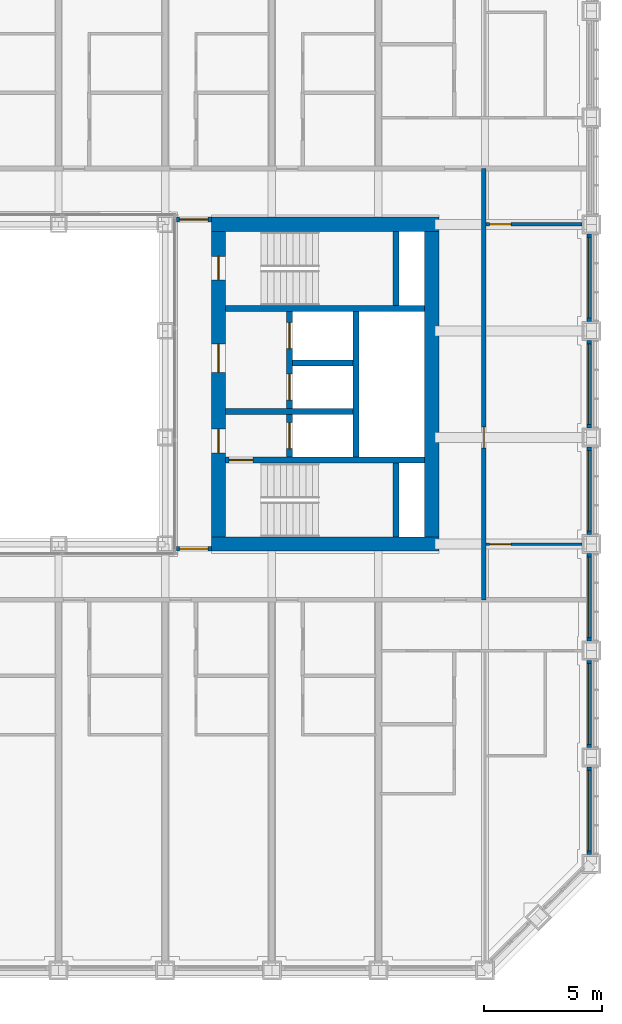
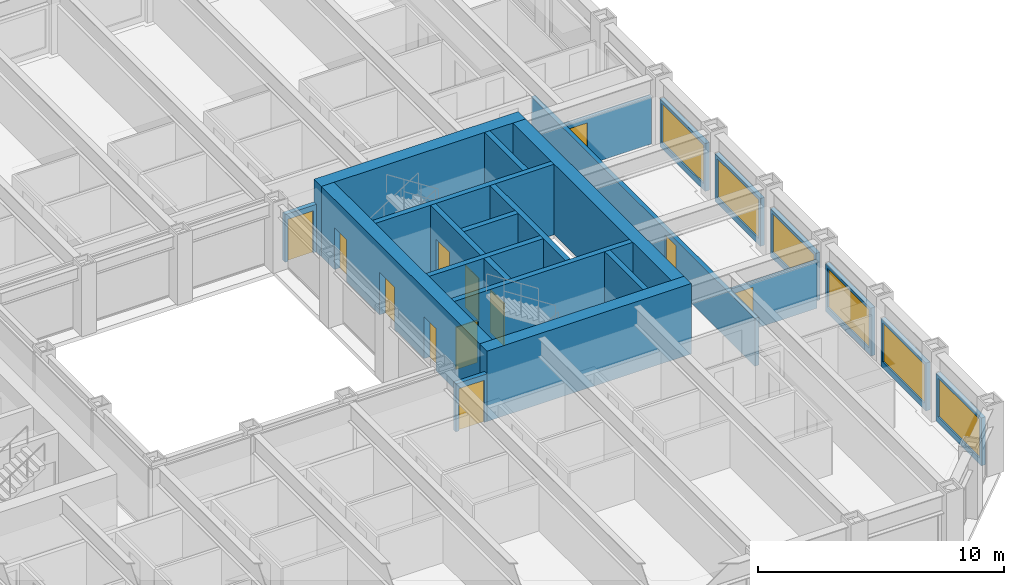
# One storey, part 12 of 21: 23 walls, 12 doors, 6 windows, 18 openings.
"""IFC4 building model written with IfcOpenShell, lengths in metres."""

from ifc_helpers import new_model, si_unit, direction, frame, frame_2d, origin, place, context, subcontext, project, spatial, rectangle, extrude, material, layer, layer_set, type_object, element, fill, save


model = new_model("IFC4")

# Units and contexts
model_context = context("Model", 3, precision=1e-05, world=origin(), true_north=direction((0.0, 1.0)))
body_context = subcontext(model_context, "Body", "Model", "MODEL_VIEW")
ifc_project = project(units=[si_unit("LENGTHUNIT", "METRE"), si_unit("AREAUNIT", "SQUARE_METRE"), si_unit("VOLUMEUNIT", "CUBIC_METRE"), si_unit("PLANEANGLEUNIT", "RADIAN"), si_unit("MASSUNIT", "GRAM", prefix="KILO")], contexts=[model_context])

# Site, building, storey
site_placement = place(None, origin())
site = spatial("IfcSite", under=ifc_project, at=site_placement, CompositionType="ELEMENT")
building_placement = place(site_placement, origin())
building = spatial("IfcBuilding", under=site, at=building_placement, Name="Msasa Ring Tower", CompositionType="ELEMENT")
storey_placement = place(building_placement, frame((0.0, 0.0, 30.0)))
storey = spatial("IfcBuildingStorey", under=building, at=storey_placement, Name="L06", CompositionType="ELEMENT", Elevation=30.0)

# Walls
ifc_material_1 = material(Name="Concrete C60/75", Category="concrete")
ifc_layer_1 = layer(ifc_material_1, 0.60009765625)
ifc_layer_set_1 = layer_set([ifc_layer_1], Name="CW1 CORE WALL 600")
wall_type_1 = type_object("IfcWallType", Name="CW1 CORE WALL 600", PredefinedType="SHEAR", material=ifc_layer_set_1)
for number, where, z_axis, x_axis, name in (
    (1, (8.699951171875, -6.75, 0.0), (0.0, 0.0, 1.0), (1.0, 0.0, 0.0), "E core wall S L06"),
    (2, (8.699951171875, 6.75, 0.0), (0.0, 0.0, 1.0), (1.0, 0.0, 0.0), "E core wall N L06"),
):
    element("IfcWall", number, at=place(storey_placement, frame(where, z_axis=z_axis, x_axis=x_axis)), inside=storey, type_object=wall_type_1, Name=name, PredefinedType="SHEAR", context=body_context, shape_type="SweptSolid", body=[
        extrude(rectangle(XDim=9.60009765625, YDim=0.60009765625, at=frame_2d((4.800048828125, 0.0))), origin(), (0.0, 0.0, 1.0), 3.5),
    ])

# Wall, openings, doors
wall_1_placement = place(storey_placement, frame((9.0, -6.449951171875, 0.0), z_axis=(0.0, 0.0, 1.0), x_axis=(0.0, 1.0, 0.0)))
wall_1 = element("IfcWall", 3, at=wall_1_placement, inside=storey, type_object=wall_type_1, Name="E core wall W L06", PredefinedType="SHEAR", context=body_context, shape_type="SweptSolid", body=[
    extrude(rectangle(XDim=12.89990234375, YDim=0.60009765625, at=frame_2d((6.449951171875, 0.0))), origin(), (0.0, 0.0, 1.0), 3.5),
])
opening_1_placement = place(wall_1_placement, frame((3.550048828125, 0.0, 0.0)))
opening_1 = element("IfcOpeningElement", 4, at=opening_1_placement, cuts=wall_1, Name="Opening RA-046", PredefinedType="OPENING", context=body_context, shape_type="SweptSolid", body=[
    extrude(rectangle(XDim=1.0, YDim=2.10009765625, at=frame_2d((0.5, 1.050048828125))), frame((0.0, 0.31005859375, 0.0), z_axis=(0.0, -1.0, 0.0), x_axis=(1.0, 0.0, 0.0)), (0.0, 0.0, 1.0), 0.6201171875),
])
opening_2_placement = place(wall_1_placement, frame((6.949951171875, 0.0, 0.0)))
opening_2 = element("IfcOpeningElement", 5, at=opening_2_placement, cuts=wall_1, Name="Opening RA-041", PredefinedType="OPENING", context=body_context, shape_type="SweptSolid", body=[
    extrude(rectangle(XDim=1.199951171875, YDim=2.10009765625, at=frame_2d((0.60009765625, 1.050048828125))), frame((0.0, 0.31005859375, 0.0), z_axis=(0.0, -1.0, 0.0), x_axis=(1.0, 0.0, 0.0)), (0.0, 0.0, 1.0), 0.6201171875),
])
opening_3_placement = place(wall_1_placement, frame((10.85009765625, 0.0, 0.0)))
opening_3 = element("IfcOpeningElement", 6, at=opening_3_placement, cuts=wall_1, Name="Opening RA-039", PredefinedType="OPENING", context=body_context, shape_type="SweptSolid", body=[
    extrude(rectangle(XDim=1.0, YDim=2.10009765625, at=frame_2d((0.5, 1.050048828125))), frame((0.0, 0.31005859375, 0.0), z_axis=(0.0, -1.0, 0.0), x_axis=(1.0, 0.0, 0.0)), (0.0, 0.0, 1.0), 0.6201171875),
])
ifc_material_2 = material(Name="Timber door leaf in a steel frame", Category="steel")
door_type_1 = type_object("IfcDoorType", Name="D4 LOBBY DOOR 1000x2100", OperationType="SINGLE_SWING_LEFT", PredefinedType="DOOR", material=ifc_material_2)
door_1_placement = place(opening_1_placement, origin())
door_1 = element("IfcDoor", 7, at=door_1_placement, inside=storey, type_object=door_type_1, Name="Door L06-EFFL", OperationType="SINGLE_SWING_LEFT", OverallHeight=2.10009765625, OverallWidth=1.0, PredefinedType="DOOR", context=body_context, shape_type="SweptSolid", body=[
    extrude(rectangle(XDim=1.0, YDim=2.10009765625, at=frame_2d((0.5, 1.050048828125))), frame((0.0, 0.02490234375, 0.0), z_axis=(0.0, -1.0, 0.0), x_axis=(1.0, 0.0, 0.0)), (0.0, 0.0, 1.0), 0.050048828125),
])
fill(opening_1, door_1)
ifc_material_3 = material(Name="Timber door leaf in a steel frame", Category="steel")
door_type_2 = type_object("IfcDoorType", Name="D5 WIDE LOBBY DOOR 1200x2100", OperationType="SINGLE_SWING_LEFT", PredefinedType="DOOR", material=ifc_material_3)
door_2_placement = place(opening_2_placement, origin())
door_2 = element("IfcDoor", 8, at=door_2_placement, inside=storey, type_object=door_type_2, Name="Door L06-ELL", OperationType="SINGLE_SWING_RIGHT", OverallHeight=2.10009765625, OverallWidth=1.199951171875, PredefinedType="DOOR", context=body_context, shape_type="SweptSolid", body=[
    extrude(rectangle(XDim=1.199951171875, YDim=2.10009765625, at=frame_2d((0.60009765625, 1.050048828125))), frame((0.0, 0.02490234375, 0.0), z_axis=(0.0, -1.0, 0.0), x_axis=(1.0, 0.0, 0.0)), (0.0, 0.0, 1.0), 0.050048828125),
])
fill(opening_2, door_2)
ifc_material_4 = material(Name="Timber door leaf in a steel frame", Category="steel")
door_type_3 = type_object("IfcDoorType", Name="D6 STAIR DOOR 1000x2100", OperationType="SINGLE_SWING_LEFT", PredefinedType="DOOR", material=ifc_material_4)
door_3_placement = place(opening_3_placement, origin())
door_3 = element("IfcDoor", 9, at=door_3_placement, inside=storey, type_object=door_type_3, Name="Door L06-ESTB", OperationType="SINGLE_SWING_RIGHT", OverallHeight=2.10009765625, OverallWidth=1.0, PredefinedType="DOOR", context=body_context, shape_type="SweptSolid", body=[
    extrude(rectangle(XDim=1.0, YDim=2.10009765625, at=frame_2d((0.5, 1.050048828125))), frame((0.0, 0.02490234375, 0.0), z_axis=(0.0, -1.0, 0.0), x_axis=(1.0, 0.0, 0.0)), (0.0, 0.0, 1.0), 0.050048828125),
])
fill(opening_3, door_3)

# Wall
wall_2_placement = place(storey_placement, frame((18.0, -6.449951171875, 0.0), z_axis=(0.0, 0.0, 1.0), x_axis=(0.0, 1.0, 0.0)))
element("IfcWall", 10, at=wall_2_placement, inside=storey, type_object=wall_type_1, Name="E core wall E L06", PredefinedType="SHEAR", context=body_context, shape_type="SweptSolid", body=[
    extrude(rectangle(XDim=12.89990234375, YDim=0.60009765625, at=frame_2d((6.449951171875, 0.0))), origin(), (0.0, 0.0, 1.0), 3.5),
])

# Wall, opening, door
ifc_material_5 = material(Name="Concrete C60/75", Category="concrete")
ifc_layer_2 = layer(ifc_material_5, 0.25)
ifc_layer_set_2 = layer_set([ifc_layer_2], Name="CW4 CORE INNER WALL 250")
wall_type_2 = type_object("IfcWallType", Name="CW4 CORE INNER WALL 250", PredefinedType="SHEAR", material=ifc_layer_set_2)
wall_3_placement = place(storey_placement, frame((9.300048828125, -3.199951171875, 0.0), z_axis=(0.0, 0.0, 1.0), x_axis=(1.0, 0.0, 0.0)))
wall_3 = element("IfcWall", 11, at=wall_3_placement, inside=storey, type_object=wall_type_2, Name="E core wall STAIRA L06", PredefinedType="SHEAR", context=body_context, shape_type="SweptSolid", body=[
    extrude(rectangle(XDim=8.39990234375, YDim=0.25, at=frame_2d((4.199951171875, 0.0))), origin(), (0.0, 0.0, 1.0), 3.5),
])
opening_4_placement = place(wall_3_placement, frame((0.14990234375, 0.0, 0.0)))
opening_4 = element("IfcOpeningElement", 12, at=opening_4_placement, cuts=wall_3, Name="Opening RA-048", PredefinedType="OPENING", context=body_context, shape_type="SweptSolid", body=[
    extrude(rectangle(XDim=1.0, YDim=2.10009765625, at=frame_2d((0.5, 1.050048828125))), frame((0.0, 0.135009765625, 0.0), z_axis=(0.0, -1.0, 0.0), x_axis=(1.0, 0.0, 0.0)), (0.0, 0.0, 1.0), 0.27001953125),
])
door_4_placement = place(opening_4_placement, origin())
door_4 = element("IfcDoor", 13, at=door_4_placement, inside=storey, type_object=door_type_3, Name="Door L06-ESTA", OperationType="SINGLE_SWING_LEFT", OverallHeight=2.10009765625, OverallWidth=1.0, PredefinedType="DOOR", context=body_context, shape_type="SweptSolid", body=[
    extrude(rectangle(XDim=1.0, YDim=2.10009765625, at=frame_2d((0.5, 1.050048828125))), frame((0.0, 0.02490234375, 0.0), z_axis=(0.0, -1.0, 0.0), x_axis=(1.0, 0.0, 0.0)), (0.0, 0.0, 1.0), 0.050048828125),
])
fill(opening_4, door_4)

# Walls
wall_4_placement = place(storey_placement, frame((9.300048828125, 3.199951171875, 0.0), z_axis=(0.0, 0.0, 1.0), x_axis=(1.0, 0.0, 0.0)))
element("IfcWall", 14, at=wall_4_placement, inside=storey, type_object=wall_type_2, Name="E core wall STAIRB L06", PredefinedType="SHEAR", context=body_context, shape_type="SweptSolid", body=[
    extrude(rectangle(XDim=8.39990234375, YDim=0.25, at=frame_2d((4.199951171875, 0.0))), origin(), (0.0, 0.0, 1.0), 3.5),
])
for number, where, z_axis, x_axis, name in (
    (15, (16.5, -6.449951171875, 0.0), (0.0, 0.0, 1.0), (0.0, 1.0, 0.0), "E core wall RISERA L06"),
    (16, (16.5, 3.324951171875, 0.0), (0.0, 0.0, 1.0), (0.0, 1.0, 0.0), "E core wall RISERB L06"),
):
    element("IfcWall", number, at=place(storey_placement, frame(where, z_axis=z_axis, x_axis=x_axis)), inside=storey, type_object=wall_type_2, Name=name, PredefinedType="SHEAR", context=body_context, shape_type="SweptSolid", body=[
        extrude(rectangle(XDim=3.125, YDim=0.25, at=frame_2d((1.5625, 0.0))), origin(), (0.0, 0.0, 1.0), 3.5),
    ])
wall_5_placement = place(storey_placement, frame((9.300048828125, -1.14990234375, 0.0), z_axis=(0.0, 0.0, 1.0), x_axis=(1.0, 0.0, 0.0)))
element("IfcWall", 17, at=wall_5_placement, inside=storey, type_object=wall_type_2, Name="E core wall FFL L06", PredefinedType="SHEAR", context=body_context, shape_type="SweptSolid", body=[
    extrude(rectangle(XDim=5.375, YDim=0.25, at=frame_2d((2.6875, 0.0))), origin(), (0.0, 0.0, 1.0), 3.5),
])

# Wall, openings, doors
wall_6_placement = place(storey_placement, frame((12.0, -3.074951171875, 0.0), z_axis=(0.0, 0.0, 1.0), x_axis=(0.0, 1.0, 0.0)))
wall_6 = element("IfcWall", 18, at=wall_6_placement, inside=storey, type_object=wall_type_2, Name="E core wall LOBBY L06", PredefinedType="SHEAR", context=body_context, shape_type="SweptSolid", body=[
    extrude(rectangle(XDim=6.14990234375, YDim=0.25, at=frame_2d((3.074951171875, 0.0))), origin(), (0.0, 0.0, 1.0), 3.5),
])
opening_5_placement = place(wall_6_placement, frame((0.35009765625, 0.0, 0.0)))
opening_5 = element("IfcOpeningElement", 19, at=opening_5_placement, cuts=wall_6, Name="Opening LD1", PredefinedType="OPENING", context=body_context, shape_type="SweptSolid", body=[
    extrude(rectangle(XDim=1.10009765625, YDim=2.10009765625, at=frame_2d((0.550048828125, 1.050048828125))), frame((0.0, 0.135009765625, 0.0), z_axis=(0.0, -1.0, 0.0), x_axis=(1.0, 0.0, 0.0)), (0.0, 0.0, 1.0), 0.27001953125),
])
opening_6_placement = place(wall_6_placement, frame((2.39990234375, 0.0, 0.0)))
opening_6 = element("IfcOpeningElement", 20, at=opening_6_placement, cuts=wall_6, Name="Opening LD1", PredefinedType="OPENING", context=body_context, shape_type="SweptSolid", body=[
    extrude(rectangle(XDim=1.10009765625, YDim=2.10009765625, at=frame_2d((0.550048828125, 1.050048828125))), frame((0.0, 0.135009765625, 0.0), z_axis=(0.0, -1.0, 0.0), x_axis=(1.0, 0.0, 0.0)), (0.0, 0.0, 1.0), 0.27001953125),
])
opening_7_placement = place(wall_6_placement, frame((4.574951171875, 0.0, 0.0)))
opening_7 = element("IfcOpeningElement", 21, at=opening_7_placement, cuts=wall_6, Name="Opening LD1", PredefinedType="OPENING", context=body_context, shape_type="SweptSolid", body=[
    extrude(rectangle(XDim=1.10009765625, YDim=2.10009765625, at=frame_2d((0.550048828125, 1.050048828125))), frame((0.0, 0.135009765625, 0.0), z_axis=(0.0, -1.0, 0.0), x_axis=(1.0, 0.0, 0.0)), (0.0, 0.0, 1.0), 0.27001953125),
])
ifc_material_6 = material(Name="Stainless steel lift landing door", Category="steel")
door_type_4 = type_object("IfcDoorType", Name="LD1 LIFT LANDING DOOR 1100x2100", OperationType="DOUBLE_DOOR_SLIDING", PredefinedType="DOOR", material=ifc_material_6)
door_5_placement = place(opening_5_placement, origin())
door_5 = element("IfcDoor", 22, at=door_5_placement, inside=storey, type_object=door_type_4, Name="Lift landing door FL-E L06", OperationType="DOUBLE_DOOR_SLIDING", OverallHeight=2.10009765625, OverallWidth=1.10009765625, PredefinedType="DOOR", context=body_context, shape_type="SweptSolid", body=[
    extrude(rectangle(XDim=1.10009765625, YDim=2.10009765625, at=frame_2d((0.550048828125, 1.050048828125))), frame((0.0, 0.02490234375, 0.0), z_axis=(0.0, -1.0, 0.0), x_axis=(1.0, 0.0, 0.0)), (0.0, 0.0, 1.0), 0.050048828125),
])
fill(opening_5, door_5)
door_6_placement = place(opening_6_placement, origin())
door_6 = element("IfcDoor", 23, at=door_6_placement, inside=storey, type_object=door_type_4, Name="Lift landing door PL-R1 L06", OperationType="DOUBLE_DOOR_SLIDING", OverallHeight=2.10009765625, OverallWidth=1.10009765625, PredefinedType="DOOR", context=body_context, shape_type="SweptSolid", body=[
    extrude(rectangle(XDim=1.10009765625, YDim=2.10009765625, at=frame_2d((0.550048828125, 1.050048828125))), frame((0.0, 0.02490234375, 0.0), z_axis=(0.0, -1.0, 0.0), x_axis=(1.0, 0.0, 0.0)), (0.0, 0.0, 1.0), 0.050048828125),
])
fill(opening_6, door_6)
door_7_placement = place(opening_7_placement, origin())
door_7 = element("IfcDoor", 24, at=door_7_placement, inside=storey, type_object=door_type_4, Name="Lift landing door PL-R2 L06", OperationType="DOUBLE_DOOR_SLIDING", OverallHeight=2.10009765625, OverallWidth=1.10009765625, PredefinedType="DOOR", context=body_context, shape_type="SweptSolid", body=[
    extrude(rectangle(XDim=1.10009765625, YDim=2.10009765625, at=frame_2d((0.550048828125, 1.050048828125))), frame((0.0, 0.02490234375, 0.0), z_axis=(0.0, -1.0, 0.0), x_axis=(1.0, 0.0, 0.0)), (0.0, 0.0, 1.0), 0.050048828125),
])
fill(opening_7, door_7)

# Walls
wall_7_placement = place(storey_placement, frame((14.800048828125, -3.074951171875, 0.0), z_axis=(0.0, 0.0, 1.0), x_axis=(0.0, 1.0, 0.0)))
element("IfcWall", 25, at=wall_7_placement, inside=storey, type_object=wall_type_2, Name="E core wall SHAFT L06", PredefinedType="SHEAR", context=body_context, shape_type="SweptSolid", body=[
    extrude(rectangle(XDim=6.14990234375, YDim=0.25, at=frame_2d((3.074951171875, 0.0))), origin(), (0.0, 0.0, 1.0), 3.5),
])
wall_8_placement = place(storey_placement, frame((12.125, 0.89990234375, 0.0), z_axis=(0.0, 0.0, 1.0), x_axis=(1.0, 0.0, 0.0)))
element("IfcWall", 26, at=wall_8_placement, inside=storey, type_object=wall_type_2, Name="E core wall LIFT1 L06", PredefinedType="SHEAR", context=body_context, shape_type="SweptSolid", body=[
    extrude(rectangle(XDim=2.550048828125, YDim=0.25, at=frame_2d((1.27490234375, 0.0))), origin(), (0.0, 0.0, 1.0), 3.5),
])

# Wall, opening, window
ifc_material_7 = material(Name="Terracotta rainscreen on blockwork", Category="masonry")
ifc_layer_3 = layer(ifc_material_7, 0.199951171875)
ifc_layer_set_3 = layer_set([ifc_layer_3], Name="FW1 TERRACOTTA-LINED INFILL BAY WALL 200")
wall_type_3 = type_object("IfcWallType", Name="FW1 TERRACOTTA-LINED INFILL BAY WALL 200", PredefinedType="SOLIDWALL", material=ifc_layer_set_3)
wall_9_placement = place(storey_placement, frame((24.64990234375, -19.844970703125, 0.0), z_axis=(0.0, 0.0, 1.0), x_axis=(0.0, 1.0, 0.0)))
wall_9 = element("IfcWall", 27, at=wall_9_placement, inside=storey, type_object=wall_type_3, Name="Infill bay wall E L06 11", PredefinedType="SOLIDWALL", context=body_context, shape_type="SweptSolid", body=[
    extrude(rectangle(XDim=3.68994140625, YDim=0.199951171875, at=frame_2d((1.844970703125, 0.0))), origin(), (0.0, 0.0, 1.0), 2.37890625),
])
opening_8_placement = place(wall_9_placement, frame((0.14501953125, 0.0, 0.300048828125)))
opening_8 = element("IfcOpeningElement", 28, at=opening_8_placement, cuts=wall_9, Name="Opening WN1", PredefinedType="OPENING", context=body_context, shape_type="SweptSolid", body=[
    extrude(rectangle(XDim=3.39990234375, YDim=1.928955078125, at=frame_2d((1.699951171875, 0.96435546875))), frame((0.0, 0.10986328125, 0.0), z_axis=(0.0, -1.0, 0.0), x_axis=(1.0, 0.0, 0.0)), (0.0, 0.0, 1.0), 0.219970703125),
])
ifc_material_8 = material(Name="Aluminium frame with clear glass", Category="aluminium")
window_type = type_object("IfcWindowType", Name="WN1 RESIDENCE WINDOW 3400x1929", PartitioningType="SINGLE_PANEL", PredefinedType="WINDOW", material=ifc_material_8)
window_1_placement = place(opening_8_placement, origin())
window_1 = element("IfcWindow", 29, at=window_1_placement, inside=storey, type_object=window_type, Name="Window E L06 11", OverallHeight=1.928955078125, OverallWidth=3.39990234375, PartitioningType="SINGLE_PANEL", PredefinedType="WINDOW", context=body_context, shape_type="SweptSolid", body=[
    extrude(rectangle(XDim=3.39990234375, YDim=1.928955078125, at=frame_2d((1.699951171875, 0.96435546875))), frame((0.0, 0.030029296875, 0.0), z_axis=(0.0, -1.0, 0.0), x_axis=(1.0, 0.0, 0.0)), (0.0, 0.0, 1.0), 0.06005859375),
])
fill(opening_8, window_1)

wall_10_placement = place(storey_placement, frame((24.64990234375, -15.344970703125, 0.0), z_axis=(0.0, 0.0, 1.0), x_axis=(0.0, 1.0, 0.0)))
wall_10 = element("IfcWall", 30, at=wall_10_placement, inside=storey, type_object=wall_type_3, Name="Infill bay wall E L06 12", PredefinedType="SOLIDWALL", context=body_context, shape_type="SweptSolid", body=[
    extrude(rectangle(XDim=3.68994140625, YDim=0.199951171875, at=frame_2d((1.844970703125, 0.0))), origin(), (0.0, 0.0, 1.0), 2.37890625),
])
opening_9_placement = place(wall_10_placement, frame((0.14501953125, 0.0, 0.300048828125)))
opening_9 = element("IfcOpeningElement", 31, at=opening_9_placement, cuts=wall_10, Name="Opening WN1", PredefinedType="OPENING", context=body_context, shape_type="SweptSolid", body=[
    extrude(rectangle(XDim=3.39990234375, YDim=1.928955078125, at=frame_2d((1.699951171875, 0.96435546875))), frame((0.0, 0.10986328125, 0.0), z_axis=(0.0, -1.0, 0.0), x_axis=(1.0, 0.0, 0.0)), (0.0, 0.0, 1.0), 0.219970703125),
])
window_2_placement = place(opening_9_placement, origin())
window_2 = element("IfcWindow", 32, at=window_2_placement, inside=storey, type_object=window_type, Name="Window E L06 12", OverallHeight=1.928955078125, OverallWidth=3.39990234375, PartitioningType="SINGLE_PANEL", PredefinedType="WINDOW", context=body_context, shape_type="SweptSolid", body=[
    extrude(rectangle(XDim=3.39990234375, YDim=1.928955078125, at=frame_2d((1.699951171875, 0.96435546875))), frame((0.0, 0.030029296875, 0.0), z_axis=(0.0, -1.0, 0.0), x_axis=(1.0, 0.0, 0.0)), (0.0, 0.0, 1.0), 0.06005859375),
])
fill(opening_9, window_2)

wall_11_placement = place(storey_placement, frame((24.64990234375, -10.844970703125, 0.0), z_axis=(0.0, 0.0, 1.0), x_axis=(0.0, 1.0, 0.0)))
wall_11 = element("IfcWall", 33, at=wall_11_placement, inside=storey, type_object=wall_type_3, Name="Infill bay wall E L06 13", PredefinedType="SOLIDWALL", context=body_context, shape_type="SweptSolid", body=[
    extrude(rectangle(XDim=3.68994140625, YDim=0.199951171875, at=frame_2d((1.844970703125, 0.0))), origin(), (0.0, 0.0, 1.0), 2.37890625),
])
opening_10_placement = place(wall_11_placement, frame((0.14501953125, 0.0, 0.300048828125)))
opening_10 = element("IfcOpeningElement", 34, at=opening_10_placement, cuts=wall_11, Name="Opening WN1", PredefinedType="OPENING", context=body_context, shape_type="SweptSolid", body=[
    extrude(rectangle(XDim=3.39990234375, YDim=1.928955078125, at=frame_2d((1.699951171875, 0.96435546875))), frame((0.0, 0.10986328125, 0.0), z_axis=(0.0, -1.0, 0.0), x_axis=(1.0, 0.0, 0.0)), (0.0, 0.0, 1.0), 0.219970703125),
])
window_3_placement = place(opening_10_placement, origin())
window_3 = element("IfcWindow", 35, at=window_3_placement, inside=storey, type_object=window_type, Name="Window E L06 13", OverallHeight=1.928955078125, OverallWidth=3.39990234375, PartitioningType="SINGLE_PANEL", PredefinedType="WINDOW", context=body_context, shape_type="SweptSolid", body=[
    extrude(rectangle(XDim=3.39990234375, YDim=1.928955078125, at=frame_2d((1.699951171875, 0.96435546875))), frame((0.0, 0.030029296875, 0.0), z_axis=(0.0, -1.0, 0.0), x_axis=(1.0, 0.0, 0.0)), (0.0, 0.0, 1.0), 0.06005859375),
])
fill(opening_10, window_3)

wall_12_placement = place(storey_placement, frame((24.64990234375, -6.344970703125, 0.0), z_axis=(0.0, 0.0, 1.0), x_axis=(0.0, 1.0, 0.0)))
wall_12 = element("IfcWall", 36, at=wall_12_placement, inside=storey, type_object=wall_type_3, Name="Infill bay wall E L06 14", PredefinedType="SOLIDWALL", context=body_context, shape_type="SweptSolid", body=[
    extrude(rectangle(XDim=3.68994140625, YDim=0.199951171875, at=frame_2d((1.844970703125, 0.0))), origin(), (0.0, 0.0, 1.0), 2.37890625),
])
opening_11_placement = place(wall_12_placement, frame((0.14501953125, 0.0, 0.300048828125)))
opening_11 = element("IfcOpeningElement", 37, at=opening_11_placement, cuts=wall_12, Name="Opening WN1", PredefinedType="OPENING", context=body_context, shape_type="SweptSolid", body=[
    extrude(rectangle(XDim=3.39990234375, YDim=1.928955078125, at=frame_2d((1.699951171875, 0.96435546875))), frame((0.0, 0.10986328125, 0.0), z_axis=(0.0, -1.0, 0.0), x_axis=(1.0, 0.0, 0.0)), (0.0, 0.0, 1.0), 0.219970703125),
])
window_4_placement = place(opening_11_placement, origin())
window_4 = element("IfcWindow", 38, at=window_4_placement, inside=storey, type_object=window_type, Name="Window E L06 14", OverallHeight=1.928955078125, OverallWidth=3.39990234375, PartitioningType="SINGLE_PANEL", PredefinedType="WINDOW", context=body_context, shape_type="SweptSolid", body=[
    extrude(rectangle(XDim=3.39990234375, YDim=1.928955078125, at=frame_2d((1.699951171875, 0.96435546875))), frame((0.0, 0.030029296875, 0.0), z_axis=(0.0, -1.0, 0.0), x_axis=(1.0, 0.0, 0.0)), (0.0, 0.0, 1.0), 0.06005859375),
])
fill(opening_11, window_4)

wall_13_placement = place(storey_placement, frame((24.64990234375, -1.844970703125, 0.0), z_axis=(0.0, 0.0, 1.0), x_axis=(0.0, 1.0, 0.0)))
wall_13 = element("IfcWall", 39, at=wall_13_placement, inside=storey, type_object=wall_type_3, Name="Infill bay wall E L06 15", PredefinedType="SOLIDWALL", context=body_context, shape_type="SweptSolid", body=[
    extrude(rectangle(XDim=3.68994140625, YDim=0.199951171875, at=frame_2d((1.844970703125, 0.0))), origin(), (0.0, 0.0, 1.0), 2.37890625),
])
opening_12_placement = place(wall_13_placement, frame((0.14501953125, 0.0, 0.300048828125)))
opening_12 = element("IfcOpeningElement", 40, at=opening_12_placement, cuts=wall_13, Name="Opening WN1", PredefinedType="OPENING", context=body_context, shape_type="SweptSolid", body=[
    extrude(rectangle(XDim=3.39990234375, YDim=1.928955078125, at=frame_2d((1.699951171875, 0.96435546875))), frame((0.0, 0.10986328125, 0.0), z_axis=(0.0, -1.0, 0.0), x_axis=(1.0, 0.0, 0.0)), (0.0, 0.0, 1.0), 0.219970703125),
])
window_5_placement = place(opening_12_placement, origin())
window_5 = element("IfcWindow", 41, at=window_5_placement, inside=storey, type_object=window_type, Name="Window E L06 15", OverallHeight=1.928955078125, OverallWidth=3.39990234375, PartitioningType="SINGLE_PANEL", PredefinedType="WINDOW", context=body_context, shape_type="SweptSolid", body=[
    extrude(rectangle(XDim=3.39990234375, YDim=1.928955078125, at=frame_2d((1.699951171875, 0.96435546875))), frame((0.0, 0.030029296875, 0.0), z_axis=(0.0, -1.0, 0.0), x_axis=(1.0, 0.0, 0.0)), (0.0, 0.0, 1.0), 0.06005859375),
])
fill(opening_12, window_5)

wall_14_placement = place(storey_placement, frame((24.64990234375, 2.655029296875, 0.0), z_axis=(0.0, 0.0, 1.0), x_axis=(0.0, 1.0, 0.0)))
wall_14 = element("IfcWall", 42, at=wall_14_placement, inside=storey, type_object=wall_type_3, Name="Infill bay wall E L06 16", PredefinedType="SOLIDWALL", context=body_context, shape_type="SweptSolid", body=[
    extrude(rectangle(XDim=3.68994140625, YDim=0.199951171875, at=frame_2d((1.844970703125, 0.0))), origin(), (0.0, 0.0, 1.0), 2.37890625),
])
opening_13_placement = place(wall_14_placement, frame((0.14501953125, 0.0, 0.300048828125)))
opening_13 = element("IfcOpeningElement", 43, at=opening_13_placement, cuts=wall_14, Name="Opening WN1", PredefinedType="OPENING", context=body_context, shape_type="SweptSolid", body=[
    extrude(rectangle(XDim=3.39990234375, YDim=1.928955078125, at=frame_2d((1.699951171875, 0.96435546875))), frame((0.0, 0.10986328125, 0.0), z_axis=(0.0, -1.0, 0.0), x_axis=(1.0, 0.0, 0.0)), (0.0, 0.0, 1.0), 0.219970703125),
])
window_6_placement = place(opening_13_placement, origin())
window_6 = element("IfcWindow", 44, at=window_6_placement, inside=storey, type_object=window_type, Name="Window E L06 16", OverallHeight=1.928955078125, OverallWidth=3.39990234375, PartitioningType="SINGLE_PANEL", PredefinedType="WINDOW", context=body_context, shape_type="SweptSolid", body=[
    extrude(rectangle(XDim=3.39990234375, YDim=1.928955078125, at=frame_2d((1.699951171875, 0.96435546875))), frame((0.0, 0.030029296875, 0.0), z_axis=(0.0, -1.0, 0.0), x_axis=(1.0, 0.0, 0.0)), (0.0, 0.0, 1.0), 0.06005859375),
])
fill(opening_13, window_6)

# Wall, opening, door
ifc_material_9 = material(Name="Concrete blockwork", Category="masonry")
ifc_layer_4 = layer(ifc_material_9, 0.199951171875)
ifc_layer_set_4 = layer_set([ifc_layer_4], Name="PT1 CORRIDOR WALL 200")
wall_type_4 = type_object("IfcWallType", Name="PT1 CORRIDOR WALL 200", PredefinedType="PARTITIONING", material=ifc_layer_set_4)
wall_15_placement = place(storey_placement, frame((7.22998046875, 6.949951171875, 0.0), z_axis=(0.0, 0.0, 1.0), x_axis=(1.0, 0.0, 0.0)))
wall_15 = element("IfcWall", 45, at=wall_15_placement, inside=storey, type_object=wall_type_4, Name="Corridor wall L06-SDEN", PredefinedType="PARTITIONING", context=body_context, shape_type="SweptSolid", body=[
    extrude(rectangle(XDim=1.469970703125, YDim=0.199951171875, at=frame_2d((0.73486328125, 0.0))), origin(), (0.0, 0.0, 1.0), 2.373291015625),
])
opening_14_placement = place(wall_15_placement, frame((0.135009765625, 0.0, 0.0)))
opening_14 = element("IfcOpeningElement", 46, at=opening_14_placement, cuts=wall_15, Name="Opening RA-036", PredefinedType="OPENING", context=body_context, shape_type="SweptSolid", body=[
    extrude(rectangle(XDim=1.199951171875, YDim=2.10009765625, at=frame_2d((0.60009765625, 1.050048828125))), frame((0.0, 0.10986328125, 0.0), z_axis=(0.0, -1.0, 0.0), x_axis=(1.0, 0.0, 0.0)), (0.0, 0.0, 1.0), 0.219970703125),
])
ifc_material_10 = material(Name="Timber door leaf in a steel frame", Category="steel")
door_type_5 = type_object("IfcDoorType", Name="D25 CORRIDOR PAIR OF SMOKE DOORS 1200x2100", OperationType="DOUBLE_DOOR_DOUBLE_SWING", PredefinedType="DOOR", material=ifc_material_10)
door_8_placement = place(opening_14_placement, origin())
door_8 = element("IfcDoor", 47, at=door_8_placement, inside=storey, type_object=door_type_5, Name="Door L06-SDEN", OperationType="DOUBLE_DOOR_DOUBLE_SWING", OverallHeight=2.10009765625, OverallWidth=1.199951171875, PredefinedType="DOOR", context=body_context, shape_type="SweptSolid", body=[
    extrude(rectangle(XDim=1.199951171875, YDim=2.10009765625, at=frame_2d((0.60009765625, 1.050048828125))), frame((0.0, 0.02490234375, 0.0), z_axis=(0.0, -1.0, 0.0), x_axis=(1.0, 0.0, 0.0)), (0.0, 0.0, 1.0), 0.050048828125),
])
fill(opening_14, door_8)

wall_16_placement = place(storey_placement, frame((7.22998046875, -6.949951171875, 0.0), z_axis=(0.0, 0.0, 1.0), x_axis=(1.0, 0.0, 0.0)))
wall_16 = element("IfcWall", 48, at=wall_16_placement, inside=storey, type_object=wall_type_4, Name="Corridor wall L06-SDES", PredefinedType="PARTITIONING", context=body_context, shape_type="SweptSolid", body=[
    extrude(rectangle(XDim=1.469970703125, YDim=0.199951171875, at=frame_2d((0.73486328125, 0.0))), origin(), (0.0, 0.0, 1.0), 2.373291015625),
])
opening_15_placement = place(wall_16_placement, frame((0.135009765625, 0.0, 0.0)))
opening_15 = element("IfcOpeningElement", 49, at=opening_15_placement, cuts=wall_16, Name="Opening RA-050", PredefinedType="OPENING", context=body_context, shape_type="SweptSolid", body=[
    extrude(rectangle(XDim=1.199951171875, YDim=2.10009765625, at=frame_2d((0.60009765625, 1.050048828125))), frame((0.0, 0.10986328125, 0.0), z_axis=(0.0, -1.0, 0.0), x_axis=(1.0, 0.0, 0.0)), (0.0, 0.0, 1.0), 0.219970703125),
])
door_9_placement = place(opening_15_placement, origin())
door_9 = element("IfcDoor", 50, at=door_9_placement, inside=storey, type_object=door_type_5, Name="Door L06-SDES", OperationType="DOUBLE_DOOR_DOUBLE_SWING", OverallHeight=2.10009765625, OverallWidth=1.199951171875, PredefinedType="DOOR", context=body_context, shape_type="SweptSolid", body=[
    extrude(rectangle(XDim=1.199951171875, YDim=2.10009765625, at=frame_2d((0.60009765625, 1.050048828125))), frame((0.0, 0.02490234375, 0.0), z_axis=(0.0, -1.0, 0.0), x_axis=(1.0, 0.0, 0.0)), (0.0, 0.0, 1.0), 0.050048828125),
])
fill(opening_15, door_9)

wall_17_placement = place(storey_placement, frame((20.199951171875, -9.10009765625, 0.0), z_axis=(0.0, 0.0, 1.0), x_axis=(0.0, 1.0, 0.0)))
wall_17 = element("IfcWall", 51, at=wall_17_placement, inside=storey, type_object=wall_type_4, Name="Corridor wall L06-STRE", PredefinedType="PARTITIONING", context=body_context, shape_type="SweptSolid", body=[
    extrude(rectangle(XDim=18.2001953125, YDim=0.199951171875, at=frame_2d((9.10009765625, 0.0))), origin(), (0.0, 0.0, 1.0), 2.373291015625),
])
opening_16_placement = place(wall_17_placement, frame((6.39990234375, 0.0, 0.0)))
opening_16 = element("IfcOpeningElement", 52, at=opening_16_placement, cuts=wall_17, Name="Opening RA-044", PredefinedType="OPENING", context=body_context, shape_type="SweptSolid", body=[
    extrude(rectangle(XDim=0.89990234375, YDim=2.10009765625, at=frame_2d((0.449951171875, 1.050048828125))), frame((0.0, 0.10986328125, 0.0), z_axis=(0.0, -1.0, 0.0), x_axis=(1.0, 0.0, 0.0)), (0.0, 0.0, 1.0), 0.219970703125),
])
ifc_material_11 = material(Name="Timber door leaf in a steel frame", Category="steel")
door_type_6 = type_object("IfcDoorType", Name="D2 ENTRANCE DOOR 900x2100", OperationType="SINGLE_SWING_LEFT", PredefinedType="DOOR", material=ifc_material_11)
door_10_placement = place(opening_16_placement, origin())
door_10 = element("IfcDoor", 53, at=door_10_placement, inside=storey, type_object=door_type_6, Name="Door L06-STE", OperationType="SINGLE_SWING_LEFT", OverallHeight=2.10009765625, OverallWidth=0.89990234375, PredefinedType="DOOR", context=body_context, shape_type="SweptSolid", body=[
    extrude(rectangle(XDim=0.89990234375, YDim=2.10009765625, at=frame_2d((0.449951171875, 1.050048828125))), frame((0.0, 0.02490234375, 0.0), z_axis=(0.0, -1.0, 0.0), x_axis=(1.0, 0.0, 0.0)), (0.0, 0.0, 1.0), 0.050048828125),
])
fill(opening_16, door_10)

ifc_material_12 = material(Name="Gypsum board on steel studs", Category="steel")
ifc_layer_5 = layer(ifc_material_12, 0.10009765625)
ifc_layer_set_5 = layer_set([ifc_layer_5], Name="PT2 STUD PARTITION 100")
wall_type_5 = type_object("IfcWallType", Name="PT2 STUD PARTITION 100", PredefinedType="PARTITIONING", material=ifc_layer_set_5)
wall_18_placement = place(storey_placement, frame((20.300048828125, -6.75, 0.0), z_axis=(0.0, 0.0, 1.0), x_axis=(1.0, 0.0, 0.0)))
wall_18 = element("IfcWall", 54, at=wall_18_placement, inside=storey, type_object=wall_type_5, Name="Partition L06-STEKY", PredefinedType="PARTITIONING", context=body_context, shape_type="SweptSolid", body=[
    extrude(rectangle(XDim=4.050048828125, YDim=0.10009765625, at=frame_2d((2.02490234375, 0.0))), origin(), (0.0, 0.0, 1.0), 2.373291015625),
])
opening_17_placement = place(wall_18_placement, frame((0.14990234375, 0.0, 0.0)))
opening_17 = element("IfcOpeningElement", 55, at=opening_17_placement, cuts=wall_18, Name="Opening RA-049", PredefinedType="OPENING", context=body_context, shape_type="SweptSolid", body=[
    extrude(rectangle(XDim=0.89990234375, YDim=2.10009765625, at=frame_2d((0.449951171875, 1.050048828125))), frame((0.0, 0.06005859375, 0.0), z_axis=(0.0, -1.0, 0.0), x_axis=(1.0, 0.0, 0.0)), (0.0, 0.0, 1.0), 0.1201171875),
])
ifc_material_13 = material(Name="Timber door leaf in a steel frame", Category="steel")
door_type_7 = type_object("IfcDoorType", Name="D22 INTERNAL HALL DOOR 900x2100", OperationType="SINGLE_SWING_LEFT", PredefinedType="DOOR", material=ifc_material_13)
door_11_placement = place(opening_17_placement, origin())
door_11 = element("IfcDoor", 56, at=door_11_placement, inside=storey, type_object=door_type_7, Name="Door L06-STEK", OperationType="SINGLE_SWING_LEFT", OverallHeight=2.10009765625, OverallWidth=0.89990234375, PredefinedType="DOOR", context=body_context, shape_type="SweptSolid", body=[
    extrude(rectangle(XDim=0.89990234375, YDim=2.10009765625, at=frame_2d((0.449951171875, 1.050048828125))), frame((0.0, 0.02490234375, 0.0), z_axis=(0.0, -1.0, 0.0), x_axis=(1.0, 0.0, 0.0)), (0.0, 0.0, 1.0), 0.050048828125),
])
fill(opening_17, door_11)

ifc_material_14 = material(Name="Moisture-resistant board on steel studs with a concealed cistern and pipe void, tiled", Category="steel")
ifc_layer_6 = layer(ifc_material_14, 0.14990234375)
ifc_layer_set_6 = layer_set([ifc_layer_6], Name="PT4 BATHROOM WET WALL 150")
wall_type_6 = type_object("IfcWallType", Name="PT4 BATHROOM WET WALL 150", PredefinedType="PARTITIONING", material=ifc_layer_set_6)
wall_19_placement = place(storey_placement, frame((20.300048828125, 6.75, 0.0), z_axis=(0.0, 0.0, 1.0), x_axis=(1.0, 0.0, 0.0)))
wall_19 = element("IfcWall", 57, at=wall_19_placement, inside=storey, type_object=wall_type_6, Name="Partition L06-STEBY", PredefinedType="PARTITIONING", context=body_context, shape_type="SweptSolid", body=[
    extrude(rectangle(XDim=4.050048828125, YDim=0.14990234375, at=frame_2d((2.02490234375, 0.0))), origin(), (0.0, 0.0, 1.0), 2.373291015625),
])
opening_18_placement = place(wall_19_placement, frame((0.14990234375, 0.0, 0.0)))
opening_18 = element("IfcOpeningElement", 58, at=opening_18_placement, cuts=wall_19, Name="Opening RA-037", PredefinedType="OPENING", context=body_context, shape_type="SweptSolid", body=[
    extrude(rectangle(XDim=0.89990234375, YDim=2.10009765625, at=frame_2d((0.449951171875, 1.050048828125))), frame((0.0, 0.0849609375, 0.0), z_axis=(0.0, -1.0, 0.0), x_axis=(1.0, 0.0, 0.0)), (0.0, 0.0, 1.0), 0.169921875),
])
ifc_material_15 = material(Name="Timber door leaf in a steel frame", Category="steel")
door_type_8 = type_object("IfcDoorType", Name="D3 BATHROOM DOOR 900x2100", OperationType="SINGLE_SWING_LEFT", PredefinedType="DOOR", material=ifc_material_15)
door_12_placement = place(opening_18_placement, origin())
door_12 = element("IfcDoor", 59, at=door_12_placement, inside=storey, type_object=door_type_8, Name="Door L06-STEB", OperationType="SINGLE_SWING_LEFT", OverallHeight=2.10009765625, OverallWidth=0.89990234375, PredefinedType="DOOR", context=body_context, shape_type="SweptSolid", body=[
    extrude(rectangle(XDim=0.89990234375, YDim=2.10009765625, at=frame_2d((0.449951171875, 1.050048828125))), frame((0.0, 0.02490234375, 0.0), z_axis=(0.0, -1.0, 0.0), x_axis=(1.0, 0.0, 0.0)), (0.0, 0.0, 1.0), 0.050048828125),
])
fill(opening_18, door_12)

save(model, "model.ifc")
